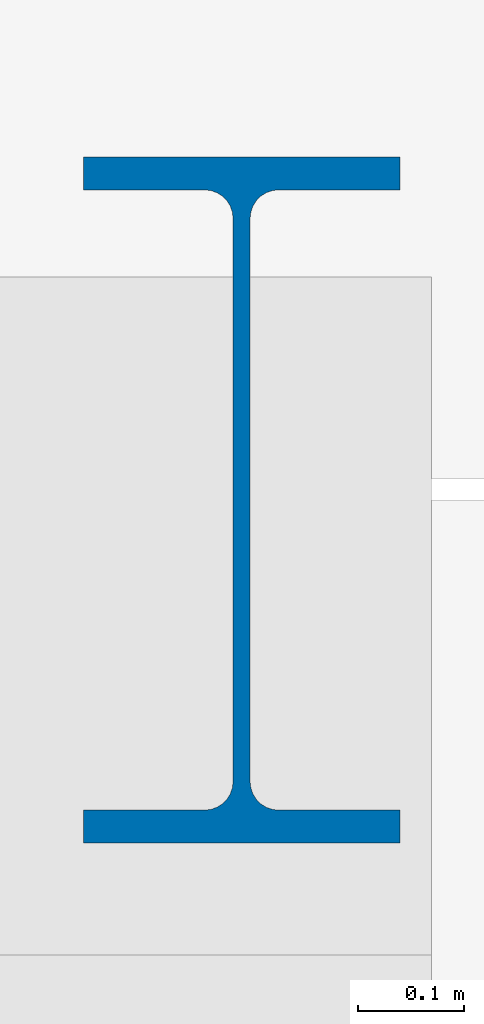
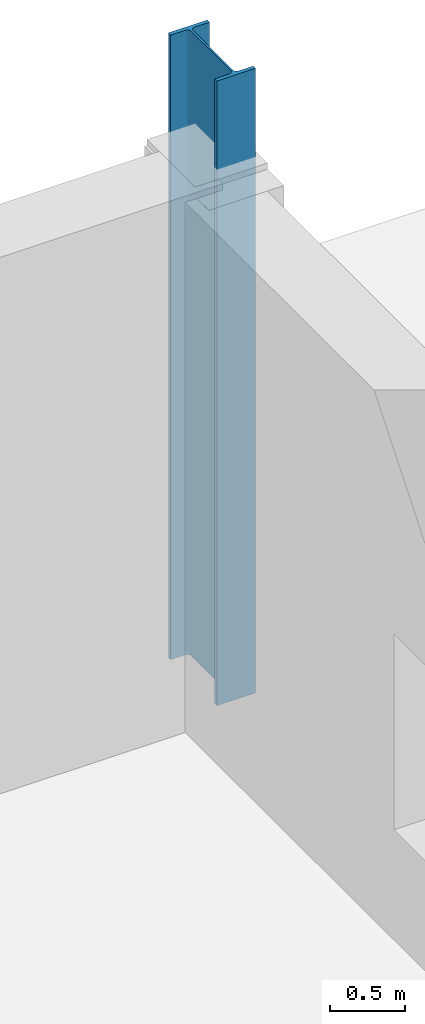
# One storey, part 20 of 80: 1 column.
"""IFC4 building model written with IfcOpenShell, lengths in metres."""

from ifc_helpers import new_model, si_unit, direction, frame, origin, origin_2d, place, context, subcontext, project, spatial, i_section, extrude, material, material_profile, profile_set, type_object, element, save


model = new_model("IFC4")

# Units and contexts
model_context = context("Model", 3, precision=1e-05, world=origin(), true_north=direction((0.0, 1.0)))
body_context = subcontext(model_context, "Body", "Model", "MODEL_VIEW")
ifc_project = project(units=[si_unit("LENGTHUNIT", "METRE"), si_unit("AREAUNIT", "SQUARE_METRE"), si_unit("VOLUMEUNIT", "CUBIC_METRE"), si_unit("PLANEANGLEUNIT", "RADIAN"), si_unit("MASSUNIT", "GRAM", prefix="KILO")], contexts=[model_context])

# Site, building, storey
site_placement = place(None, origin())
site = spatial("IfcSite", under=ifc_project, at=site_placement, CompositionType="ELEMENT")
building_placement = place(site_placement, origin())
building = spatial("IfcBuilding", under=site, at=building_placement, Name="Nabrawat Pavilion Hospital", CompositionType="ELEMENT")
storey_placement = place(building_placement, origin())
storey = spatial("IfcBuildingStorey", under=building, at=storey_placement, Name="L00", CompositionType="ELEMENT", Elevation=0.0)

# Column
ifc_material = material(Name="Steel S355", Category="steel")
ifc_material_profile = material_profile(ifc_material, i_section(OverallWidth=0.300048828125, OverallDepth=0.64990234375, WebThickness=0.01611328125, FlangeThickness=0.031005859375, FilletRadius=0.027099609375, at=origin_2d()), Name="HEB 650")
ifc_profile_set = profile_set([ifc_material_profile], Name="Steel S355")
column_type = type_object("IfcColumnType", Name="Heavy Composite Steel Column HEB 650", PredefinedType="COLUMN", material=ifc_profile_set)
column_placement = place(storey_placement, frame((193.199951171875, 124.800048828125, 0.0), z_axis=(0.0, 0.0, 1.0), x_axis=(1.0, 0.0, 0.0)))
element("IfcColumn", 1, at=column_placement, inside=storey, type_object=column_type, Name="L00 Structural Column G-24-S", PredefinedType="COLUMN", context=body_context, shape_type="SweptSolid", body=[
    extrude(i_section(OverallWidth=0.300048828125, OverallDepth=0.64990234375, WebThickness=0.01611328125, FlangeThickness=0.031005859375, FilletRadius=0.027099609375, at=origin_2d()), origin(), (0.0, 0.0, 1.0), 5.10009765625),
])

save(model, "model.ifc")
